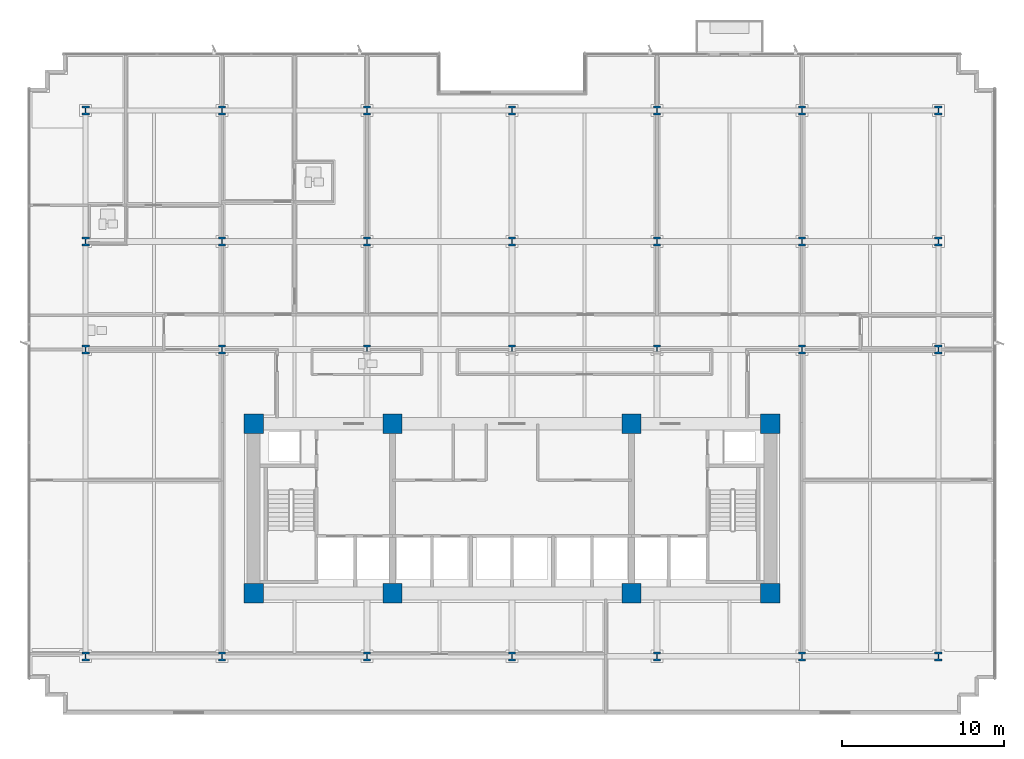
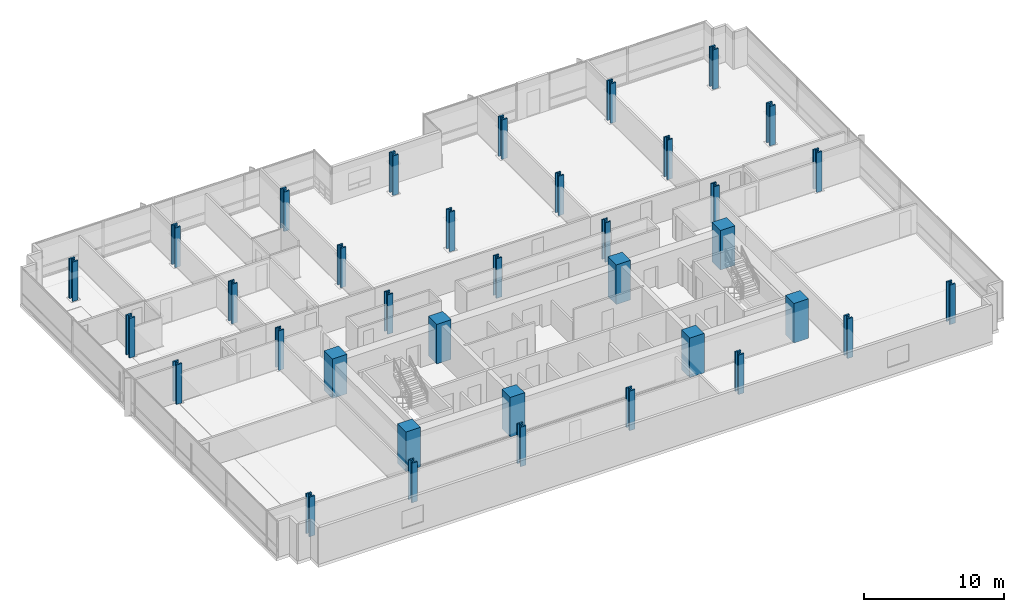
# One storey, part 1 of 20: 36 columns.
"""IFC4 building model written with IfcOpenShell, lengths in metres."""

from ifc_helpers import new_model, si_unit, direction, frame, origin, origin_2d, place, context, subcontext, project, spatial, rectangle, i_section, extrude, material, material_profile, profile_set, type_object, element, save


model = new_model("IFC4")

# Units and contexts
model_context = context("Model", 3, precision=1e-05, world=origin(), true_north=direction((0.0, 1.0)))
body_context = subcontext(model_context, "Body", "Model", "MODEL_VIEW")
ifc_project = project(units=[si_unit("LENGTHUNIT", "METRE"), si_unit("AREAUNIT", "SQUARE_METRE"), si_unit("VOLUMEUNIT", "CUBIC_METRE"), si_unit("PLANEANGLEUNIT", "RADIAN"), si_unit("MASSUNIT", "GRAM", prefix="KILO")], contexts=[model_context])

# Site, building, storey
site_placement = place(None, origin())
site = spatial("IfcSite", under=ifc_project, at=site_placement, CompositionType="ELEMENT")
building_placement = place(site_placement, origin())
building = spatial("IfcBuilding", under=site, at=building_placement, Name="Solmavex Isthmus Hotel", CompositionType="ELEMENT")
storey_placement = place(building_placement, frame((0.0, 0.0, 57.449951171875)))
storey = spatial("IfcBuildingStorey", under=building, at=storey_placement, Name="L15", CompositionType="ELEMENT", Elevation=57.449951171875)

# Columns
ifc_material_1 = material(Name="Concrete C70/85", Category="concrete")
ifc_material_profile_1 = material_profile(ifc_material_1, rectangle(XDim=1.199951171875, YDim=1.199951171875, at=origin_2d()), Name="RC1200X1200")
ifc_profile_set_1 = profile_set([ifc_material_profile_1], Name="Concrete C70/85")
column_type_1 = type_object("IfcColumnType", Name="COL-CC-1200", PredefinedType="COLUMN", material=ifc_profile_set_1)
for number, where, z_axis, x_axis, name in (
    (1, (-16.0, -13.0, 0.0), (0.0, 0.0, 1.0), (1.0, 0.0, 0.0), "Core Pilaster CC-SW L15"),
    (2, (-7.39990234375, -13.0, 0.0), (0.0, 0.0, 1.0), (1.0, 0.0, 0.0), "Core Pilaster CC-S1 L15"),
    (3, (7.39990234375, -13.0, 0.0), (0.0, 0.0, 1.0), (1.0, 0.0, 0.0), "Core Pilaster CC-S2 L15"),
    (4, (16.0, -13.0, 0.0), (0.0, 0.0, 1.0), (1.0, 0.0, 0.0), "Core Pilaster CC-SE L15"),
    (5, (-16.0, -2.5, 0.0), (0.0, 0.0, 1.0), (1.0, 0.0, 0.0), "Core Pilaster CC-NW L15"),
    (6, (-7.39990234375, -2.5, 0.0), (0.0, 0.0, 1.0), (1.0, 0.0, 0.0), "Core Pilaster CC-N1 L15"),
    (7, (7.39990234375, -2.5, 0.0), (0.0, 0.0, 1.0), (1.0, 0.0, 0.0), "Core Pilaster CC-N2 L15"),
    (8, (16.0, -2.5, 0.0), (0.0, 0.0, 1.0), (1.0, 0.0, 0.0), "Core Pilaster CC-NE L15"),
):
    element("IfcColumn", number, at=place(storey_placement, frame(where, z_axis=z_axis, x_axis=x_axis)), inside=storey, type_object=column_type_1, Name=name, PredefinedType="COLUMN", context=body_context, shape_type="SweptSolid", body=[
        extrude(rectangle(XDim=1.199951171875, YDim=1.199951171875, at=origin_2d()), origin(), (0.0, 0.0, 1.0), 3.449951171875),
    ])
ifc_material_2 = material(Name="Steel ASTM A913 Grade 65", Category="steel")
ifc_material_profile_2 = material_profile(ifc_material_2, i_section(OverallWidth=0.442138671875, OverallDepth=0.531494140625, WebThickness=0.06591796875, FlangeThickness=0.105712890625, FilletRadius=0.030517578125, at=origin_2d()), Name="W14X605")
ifc_profile_set_2 = profile_set([ifc_material_profile_2], Name="Steel ASTM A913 Grade 65")
column_type_2 = type_object("IfcColumnType", Name="COL-SC-W14X605", PredefinedType="COLUMN", material=ifc_profile_set_2)
for number, where, z_axis, x_axis, name in (
    (9, (-17.951904296875, 2.10009765625, 0.0), (0.0, 0.0, 1.0), (1.0, 0.0, 0.0), "Tower Column B1-U2V2 L15"),
    (10, (-17.951904296875, 8.7880859375, 0.0), (0.0, 0.0, 1.0), (1.0, 0.0, 0.0), "Tower Column B1-U2V3 L15"),
    (11, (-8.97607421875, 2.10009765625, 0.0), (0.0, 0.0, 1.0), (1.0, 0.0, 0.0), "Tower Column B1-U3V2 L15"),
    (12, (-8.97607421875, 8.7880859375, 0.0), (0.0, 0.0, 1.0), (1.0, 0.0, 0.0), "Tower Column B1-U3V3 L15"),
    (13, (0.0, 2.10009765625, 0.0), (0.0, 0.0, 1.0), (1.0, 0.0, 0.0), "Tower Column B1-U4V2 L15"),
    (14, (0.0, 8.7880859375, 0.0), (0.0, 0.0, 1.0), (1.0, 0.0, 0.0), "Tower Column B1-U4V3 L15"),
    (15, (8.97607421875, 2.10009765625, 0.0), (0.0, 0.0, 1.0), (1.0, 0.0, 0.0), "Tower Column B1-U5V2 L15"),
    (16, (8.97607421875, 8.7880859375, 0.0), (0.0, 0.0, 1.0), (1.0, 0.0, 0.0), "Tower Column B1-U5V3 L15"),
    (17, (17.951904296875, 2.10009765625, 0.0), (0.0, 0.0, 1.0), (1.0, 0.0, 0.0), "Tower Column B1-U6V2 L15"),
    (18, (17.951904296875, 8.7880859375, 0.0), (0.0, 0.0, 1.0), (1.0, 0.0, 0.0), "Tower Column B1-U6V3 L15"),
):
    element("IfcColumn", number, at=place(storey_placement, frame(where, z_axis=z_axis, x_axis=x_axis)), inside=storey, type_object=column_type_2, Name=name, PredefinedType="COLUMN", context=body_context, shape_type="SweptSolid", body=[
        extrude(i_section(OverallWidth=0.442138671875, OverallDepth=0.531494140625, WebThickness=0.06591796875, FlangeThickness=0.105712890625, FilletRadius=0.030517578125, at=origin_2d()), origin(), (0.0, 0.0, 1.0), 3.449951171875),
    ])
ifc_material_profile_3 = material_profile(ifc_material_2, i_section(OverallWidth=0.454345703125, OverallDepth=0.569091796875, WebThickness=0.077880859375, FlangeThickness=0.124755859375, FilletRadius=0.030517578125, at=origin_2d()), Name="W14X730")
ifc_profile_set_3 = profile_set([ifc_material_profile_3], Name="Steel ASTM A913 Grade 65")
column_type_3 = type_object("IfcColumnType", Name="COL-SC-W14X730", PredefinedType="COLUMN", material=ifc_profile_set_3)
for number, where, z_axis, x_axis, name in (
    (19, (-26.39990234375, -16.89990234375, 0.0), (0.0, 0.0, 1.0), (1.0, 0.0, 0.0), "Tower Column B1-U1V1 L15"),
    (20, (-26.39990234375, 2.10009765625, 0.0), (0.0, 0.0, 1.0), (1.0, 0.0, 0.0), "Tower Column B1-U1V2 L15"),
    (21, (-26.39990234375, 8.7880859375, 0.0), (0.0, 0.0, 1.0), (1.0, 0.0, 0.0), "Tower Column B1-U1V3 L15"),
    (22, (-26.39990234375, 16.89990234375, 0.0), (0.0, 0.0, 1.0), (1.0, 0.0, 0.0), "Tower Column B1-U1V4 L15"),
    (23, (-17.951904296875, -16.89990234375, 0.0), (0.0, 0.0, 1.0), (1.0, 0.0, 0.0), "Tower Column B1-U2V1 L15"),
    (24, (-17.951904296875, 16.89990234375, 0.0), (0.0, 0.0, 1.0), (1.0, 0.0, 0.0), "Tower Column B1-U2V4 L15"),
    (25, (-8.97607421875, -16.89990234375, 0.0), (0.0, 0.0, 1.0), (1.0, 0.0, 0.0), "Tower Column B1-U3V1 L15"),
    (26, (-8.97607421875, 16.89990234375, 0.0), (0.0, 0.0, 1.0), (1.0, 0.0, 0.0), "Tower Column B1-U3V4 L15"),
    (27, (0.0, -16.89990234375, 0.0), (0.0, 0.0, 1.0), (1.0, 0.0, 0.0), "Tower Column B1-U4V1 L15"),
    (28, (0.0, 16.89990234375, 0.0), (0.0, 0.0, 1.0), (1.0, 0.0, 0.0), "Tower Column B1-U4V4 L15"),
    (29, (8.97607421875, -16.89990234375, 0.0), (0.0, 0.0, 1.0), (1.0, 0.0, 0.0), "Tower Column B1-U5V1 L15"),
    (30, (8.97607421875, 16.89990234375, 0.0), (0.0, 0.0, 1.0), (1.0, 0.0, 0.0), "Tower Column B1-U5V4 L15"),
    (31, (17.951904296875, -16.89990234375, 0.0), (0.0, 0.0, 1.0), (1.0, 0.0, 0.0), "Tower Column B1-U6V1 L15"),
    (32, (17.951904296875, 16.89990234375, 0.0), (0.0, 0.0, 1.0), (1.0, 0.0, 0.0), "Tower Column B1-U6V4 L15"),
    (33, (26.39990234375, -16.89990234375, 0.0), (0.0, 0.0, 1.0), (1.0, 0.0, 0.0), "Tower Column B1-U7V1 L15"),
    (34, (26.39990234375, 2.10009765625, 0.0), (0.0, 0.0, 1.0), (1.0, 0.0, 0.0), "Tower Column B1-U7V2 L15"),
    (35, (26.39990234375, 8.7880859375, 0.0), (0.0, 0.0, 1.0), (1.0, 0.0, 0.0), "Tower Column B1-U7V3 L15"),
    (36, (26.39990234375, 16.89990234375, 0.0), (0.0, 0.0, 1.0), (1.0, 0.0, 0.0), "Tower Column B1-U7V4 L15"),
):
    element("IfcColumn", number, at=place(storey_placement, frame(where, z_axis=z_axis, x_axis=x_axis)), inside=storey, type_object=column_type_3, Name=name, PredefinedType="COLUMN", context=body_context, shape_type="SweptSolid", body=[
        extrude(i_section(OverallWidth=0.454345703125, OverallDepth=0.569091796875, WebThickness=0.077880859375, FlangeThickness=0.124755859375, FilletRadius=0.030517578125, at=origin_2d()), origin(), (0.0, 0.0, 1.0), 3.449951171875),
    ])

save(model, "model.ifc")
